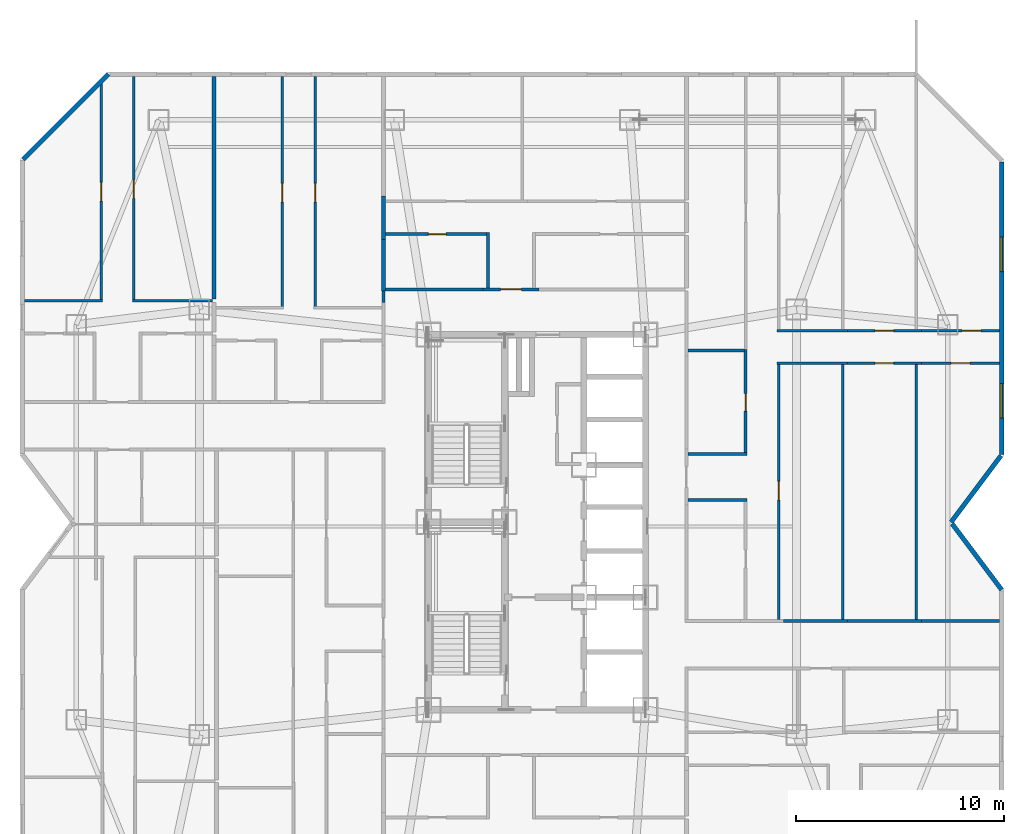
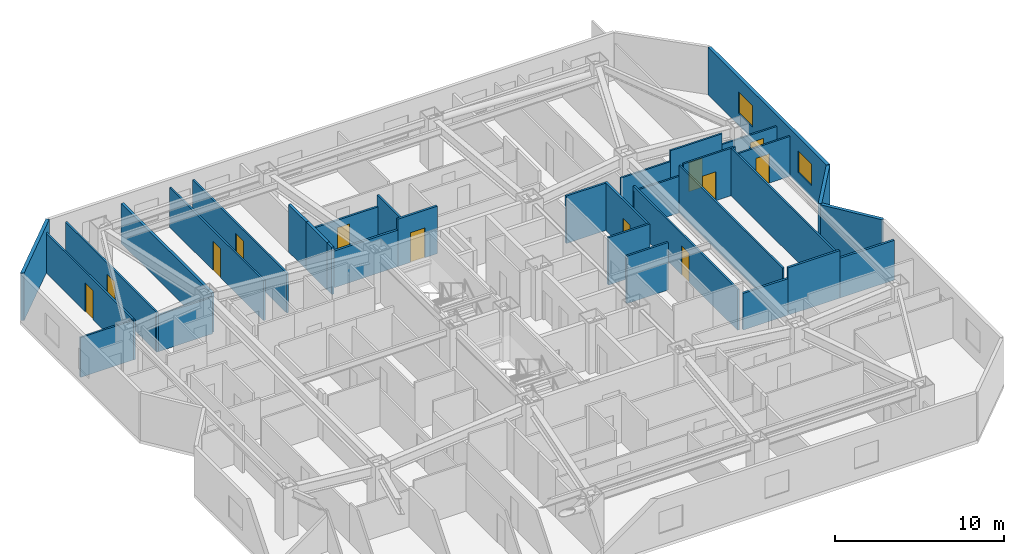
# One storey, part 9 of 11: 34 walls, 12 doors, 2 windows, 14 openings.
"""IFC4 building model written with IfcOpenShell, lengths in metres."""

from ifc_helpers import new_model, si_unit, direction, frame, frame_2d, origin, place, context, subcontext, project, spatial, rectangle, extrude, material, layer, layer_set, type_object, element, fill, save


model = new_model("IFC4")

# Units and contexts
model_context = context("Model", 3, precision=1e-05, world=origin(), true_north=direction((0.0, 1.0)))
body_context = subcontext(model_context, "Body", "Model", "MODEL_VIEW")
ifc_project = project(units=[si_unit("LENGTHUNIT", "METRE"), si_unit("AREAUNIT", "SQUARE_METRE"), si_unit("VOLUMEUNIT", "CUBIC_METRE"), si_unit("PLANEANGLEUNIT", "RADIAN"), si_unit("MASSUNIT", "GRAM", prefix="KILO")], contexts=[model_context])

# Site, building, storey
site_placement = place(None, origin())
site = spatial("IfcSite", under=ifc_project, at=site_placement, CompositionType="ELEMENT")
building_placement = place(site_placement, origin())
building = spatial("IfcBuilding", under=site, at=building_placement, Name="Khamvora Tower", CompositionType="ELEMENT")
storey_placement = place(building_placement, frame((0.0, 0.0, 116.5)))
storey = spatial("IfcBuildingStorey", under=building, at=storey_placement, Name="L29", CompositionType="ELEMENT", Elevation=116.5)

# Wall
ifc_material_1 = material(Name="Fire-Rated Drywall and Steel Stud", Category="steel")
ifc_layer_1 = layer(ifc_material_1, 0.14990234375)
ifc_layer_set_1 = layer_set([ifc_layer_1], Name="Fire-Rated Drywall and Steel Stud")
wall_type_1 = type_object("IfcWallType", Name="WAL-CORR-150", PredefinedType="STANDARD", material=ifc_layer_set_1)
wall_1_placement = place(storey_placement, frame((26.8349609375, 38.54296875, 0.0), z_axis=(0.0, 0.0, 1.0), x_axis=(0.0, 1.0, 0.0)))
element("IfcWall", 1, at=wall_1_placement, inside=storey, type_object=wall_type_1, Name="L29 interior partition wall 022", PredefinedType="STANDARD", context=body_context, shape_type="SweptSolid", body=[
    extrude(rectangle(XDim=0.55712890625, YDim=0.14990234375, at=frame_2d((0.278564453125, 0.0))), origin(), (0.0, 0.0, 1.0), 3.429931640625),
])

# Wall, opening, door
wall_2_placement = place(storey_placement, frame((31.60107421875, 39.1650390625, 0.0), z_axis=(0.0, 0.0, 1.0), x_axis=(1.0, 0.0, 0.0)))
wall_2 = element("IfcWall", 2, at=wall_2_placement, inside=storey, type_object=wall_type_1, Name="L29 interior partition wall 026", PredefinedType="STANDARD", context=body_context, shape_type="SweptSolid", body=[
    extrude(rectangle(XDim=2.697998046875, YDim=0.14990234375, at=frame_2d((1.34912109375, 0.0))), origin(), (0.0, 0.0, 1.0), 3.429931640625),
])
opening_1_placement = place(wall_2_placement, frame((0.84912109375, 0.0, 0.0)))
opening_1 = element("IfcOpeningElement", 3, at=opening_1_placement, cuts=wall_2, Name="Opening D-U1", PredefinedType="OPENING", context=body_context, shape_type="SweptSolid", body=[
    extrude(rectangle(XDim=1.0, YDim=2.14990234375, at=frame_2d((0.5, 1.074951171875))), frame((0.0, 0.0849609375, 0.0), z_axis=(0.0, -1.0, 0.0), x_axis=(1.0, 0.0, 0.0)), (0.0, 0.0, 1.0), 0.169921875),
])
ifc_material_2 = material(Name="Powder-Coated Steel and Hardwood Leaf", Category="steel")
door_type_1 = type_object("IfcDoorType", Name="DOR-UNIT-1000", OperationType="NOTDEFINED", PredefinedType="DOOR", material=ifc_material_2)
door_1_placement = place(opening_1_placement, origin())
door_1 = element("IfcDoor", 4, at=door_1_placement, inside=storey, type_object=door_type_1, Name="L29 interior door COR-29NAH", OperationType="SINGLE_SWING_LEFT", OverallHeight=2.14990234375, OverallWidth=1.0, PredefinedType="DOOR", context=body_context, shape_type="SweptSolid", body=[
    extrude(rectangle(XDim=1.0, YDim=2.14990234375, at=frame_2d((0.5, 1.074951171875))), frame((0.0, 0.02490234375, 0.0), z_axis=(0.0, -1.0, 0.0), x_axis=(1.0, 0.0, 0.0)), (0.0, 0.0, 1.0), 0.050048828125),
])
fill(opening_1, door_1)

# Walls
wall_3_placement = place(storey_placement, frame((26.89990234375, 39.1650390625, 0.0), z_axis=(0.0, 0.0, 1.0), x_axis=(1.0, 0.0, 0.0)))
element("IfcWall", 5, at=wall_3_placement, inside=storey, type_object=wall_type_1, Name="L29 interior partition wall 027", PredefinedType="STANDARD", context=body_context, shape_type="SweptSolid", body=[
    extrude(rectangle(XDim=4.701171875, YDim=0.14990234375, at=frame_2d((2.3505859375, 0.0))), origin(), (0.0, 0.0, 1.0), 2.64697265625),
])
wall_4_placement = place(storey_placement, frame((46.034912109375, 23.264892578125, 0.0), z_axis=(0.0, 0.0, 1.0), x_axis=(1.0, 0.0, 0.0)))
element("IfcWall", 6, at=wall_4_placement, inside=storey, type_object=wall_type_1, Name="L29 interior partition wall 040", PredefinedType="STANDARD", context=body_context, shape_type="SweptSolid", body=[
    extrude(rectangle(XDim=3.070068359375, YDim=0.14990234375, at=frame_2d((1.53515625, 0.0))), origin(), (0.0, 0.0, 1.0), 2.64697265625),
])
wall_5_placement = place(storey_placement, frame((49.10498046875, 23.264892578125, 0.0), z_axis=(0.0, 0.0, 1.0), x_axis=(1.0, 0.0, 0.0)))
element("IfcWall", 7, at=wall_5_placement, inside=storey, type_object=wall_type_1, Name="L29 interior partition wall 041", PredefinedType="STANDARD", context=body_context, shape_type="SweptSolid", body=[
    extrude(rectangle(XDim=3.5458984375, YDim=0.14990234375, at=frame_2d((1.77294921875, 0.0))), origin(), (0.0, 0.0, 1.0), 3.429931640625),
])
wall_6_placement = place(storey_placement, frame((52.65087890625, 23.264892578125, 0.0), z_axis=(0.0, 0.0, 1.0), x_axis=(1.0, 0.0, 0.0)))
element("IfcWall", 8, at=wall_6_placement, inside=storey, type_object=wall_type_1, Name="L29 interior partition wall 042", PredefinedType="STANDARD", context=body_context, shape_type="SweptSolid", body=[
    extrude(rectangle(XDim=3.737060546875, YDim=0.14990234375, at=frame_2d((1.86865234375, 0.0))), origin(), (0.0, 0.0, 1.0), 2.8759765625),
])
ifc_material_3 = material(Name="Acoustic Double-Stud Fire Wall", Category="gypsum")
ifc_layer_2 = layer(ifc_material_3, 0.179931640625)
ifc_layer_set_2 = layer_set([ifc_layer_2], Name="Acoustic Double-Stud Fire Wall")
wall_type_2 = type_object("IfcWallType", Name="WAL-CORR-180", PredefinedType="STANDARD", material=ifc_layer_set_2)
wall_7_placement = place(storey_placement, frame((18.705078125, 49.387939453125, 0.0), z_axis=(0.0, 0.0, 1.0), x_axis=(0.0, -1.0, 0.0)))
element("IfcWall", 9, at=wall_7_placement, inside=storey, type_object=wall_type_2, Name="L29 interior partition wall 085", PredefinedType="STANDARD", context=body_context, shape_type="SweptSolid", body=[
    extrude(rectangle(XDim=10.68896484375, YDim=0.179931640625, at=frame_2d((5.344482421875, 0.0))), origin(), (0.0, 0.0, 1.0), 2.8759765625),
])
wall_8_placement = place(storey_placement, frame((26.8349609375, 43.65087890625, 0.0), z_axis=(0.0, 0.0, 1.0), x_axis=(0.0, -1.0, 0.0)))
element("IfcWall", 10, at=wall_8_placement, inside=storey, type_object=wall_type_2, Name="L29 interior partition wall 094", PredefinedType="STANDARD", context=body_context, shape_type="SweptSolid", body=[
    extrude(rectangle(XDim=2.077880859375, YDim=0.179931640625, at=frame_2d((1.0390625, 0.0))), origin(), (0.0, 0.0, 1.0), 3.429931640625),
])
wall_9_placement = place(storey_placement, frame((26.8349609375, 41.572998046875, 0.0), z_axis=(0.0, 0.0, 1.0), x_axis=(0.0, -1.0, 0.0)))
element("IfcWall", 11, at=wall_9_placement, inside=storey, type_object=wall_type_2, Name="L29 interior partition wall 095", PredefinedType="STANDARD", context=body_context, shape_type="SweptSolid", body=[
    extrude(rectangle(XDim=2.472900390625, YDim=0.179931640625, at=frame_2d((1.236328125, 0.0))), origin(), (0.0, 0.0, 1.0), 3.429931640625),
])
ifc_material_4 = material(Name="Precast concrete C40/50", Category="concrete")
ifc_layer_3 = layer(ifc_material_4, 0.219970703125)
ifc_layer_set_3 = layer_set([ifc_layer_3], Name="Precast concrete C40/50")
wall_type_3 = type_object("IfcWallType", Name="WAL-EXT-220", PredefinedType="STANDARD", material=ifc_layer_set_3)
wall_10_placement = place(storey_placement, frame((9.55810546875, 45.402099609375, 0.0), z_axis=(0.0, 0.0, 1.0), x_axis=(0.707106781187, 0.707106781187, 0.0)))
element("IfcWall", 12, at=wall_10_placement, inside=storey, type_object=wall_type_3, Name="L29 exterior facade wall 06.1", PredefinedType="STANDARD", context=body_context, shape_type="SweptSolid", body=[
    extrude(rectangle(XDim=5.78125, YDim=0.219970703125, at=frame_2d((2.890625, 0.0))), origin(), (0.0, 0.0, 1.0), 3.429931640625),
])

# Wall, openings, windows
wall_11_placement = place(storey_placement, frame((56.489990234375, 45.282958984375, 0.0), z_axis=(0.0, 0.0, 1.0), x_axis=(0.0, -1.0, 0.0)))
wall_11 = element("IfcWall", 13, at=wall_11_placement, inside=storey, type_object=wall_type_3, Name="L29 exterior facade wall 09.1", PredefinedType="STANDARD", context=body_context, shape_type="SweptSolid", body=[
    extrude(rectangle(XDim=14.0458984375, YDim=0.219970703125, at=frame_2d((7.02294921875, 0.0))), origin(), (0.0, 0.0, 1.0), 3.429931640625),
])
opening_2_placement = place(wall_11_placement, frame((10.635009765625, 0.0, 0.85009765625)))
opening_2 = element("IfcOpeningElement", 14, at=opening_2_placement, cuts=wall_11, Name="Opening WN-06", PredefinedType="OPENING", context=body_context, shape_type="SweptSolid", body=[
    extrude(rectangle(XDim=1.64990234375, YDim=1.550048828125, at=frame_2d((0.824951171875, 0.77490234375))), frame((0.0, 0.119873046875, 0.0), z_axis=(0.0, -1.0, 0.0), x_axis=(1.0, 0.0, 0.0)), (0.0, 0.0, 1.0), 0.239990234375),
])
opening_3_placement = place(wall_11_placement, frame((3.611083984375, 0.0, 0.85009765625)))
opening_3 = element("IfcOpeningElement", 15, at=opening_3_placement, cuts=wall_11, Name="Opening WN-06", PredefinedType="OPENING", context=body_context, shape_type="SweptSolid", body=[
    extrude(rectangle(XDim=1.64990234375, YDim=1.550048828125, at=frame_2d((0.824951171875, 0.77490234375))), frame((0.0, 0.119873046875, 0.0), z_axis=(0.0, -1.0, 0.0), x_axis=(1.0, 0.0, 0.0)), (0.0, 0.0, 1.0), 0.239990234375),
])
ifc_material_5 = material(Name="Low-E Laminated Double Glazing", Category="glass")
window_type = type_object("IfcWindowType", Name="WIN-VIS-1650x1550", PartitioningType="SINGLE_PANEL", PredefinedType="WINDOW", material=ifc_material_5)
window_1_placement = place(opening_2_placement, origin())
window_1 = element("IfcWindow", 16, at=window_1_placement, inside=storey, type_object=window_type, Name="L29 vision window 09.1.01", OverallHeight=1.550048828125, OverallWidth=1.64990234375, PartitioningType="SINGLE_PANEL", PredefinedType="WINDOW", context=body_context, shape_type="SweptSolid", body=[
    extrude(rectangle(XDim=1.64990234375, YDim=1.550048828125, at=frame_2d((0.824951171875, 0.77490234375))), frame((0.0, 0.030029296875, 0.0), z_axis=(0.0, -1.0, 0.0), x_axis=(1.0, 0.0, 0.0)), (0.0, 0.0, 1.0), 0.06005859375),
])
fill(opening_2, window_1)
window_2_placement = place(opening_3_placement, origin())
window_2 = element("IfcWindow", 17, at=window_2_placement, inside=storey, type_object=window_type, Name="L29 vision window 09.1.02", OverallHeight=1.550048828125, OverallWidth=1.64990234375, PartitioningType="SINGLE_PANEL", PredefinedType="WINDOW", context=body_context, shape_type="SweptSolid", body=[
    extrude(rectangle(XDim=1.64990234375, YDim=1.550048828125, at=frame_2d((0.824951171875, 0.77490234375))), frame((0.0, 0.030029296875, 0.0), z_axis=(0.0, -1.0, 0.0), x_axis=(1.0, 0.0, 0.0)), (0.0, 0.0, 1.0), 0.06005859375),
])
fill(opening_3, window_2)

# Walls
wall_12_placement = place(storey_placement, frame((56.4560546875, 31.19091796875, 0.0), z_axis=(0.0, 0.0, 1.0), x_axis=(-0.600137081448, -0.799897170561, 0.0)))
element("IfcWall", 18, at=wall_12_placement, inside=storey, type_object=wall_type_3, Name="L29 exterior facade wall 10.1", PredefinedType="STANDARD", context=body_context, shape_type="SweptSolid", body=[
    extrude(rectangle(XDim=3.9892578125, YDim=0.219970703125, at=frame_2d((1.99462890625, 0.0))), origin(), (0.0, 0.0, 1.0), 3.429931640625),
])
wall_13_placement = place(storey_placement, frame((54.118896484375, 27.924072265625, 0.0), z_axis=(0.0, 0.0, 1.0), x_axis=(0.600039540588, -0.799970343032, 0.0)))
element("IfcWall", 19, at=wall_13_placement, inside=storey, type_object=wall_type_3, Name="L29 exterior facade wall 11.1", PredefinedType="STANDARD", context=body_context, shape_type="SweptSolid", body=[
    extrude(rectangle(XDim=3.95166015625, YDim=0.219970703125, at=frame_2d((1.975830078125, 0.0))), origin(), (0.0, 0.0, 1.0), 3.429931640625),
])
ifc_material_6 = material(Name="Gypsum Plasterboard Partition", Category="gypsum")
ifc_layer_4 = layer(ifc_material_6, 0.1201171875)
ifc_layer_set_4 = layer_set([ifc_layer_4], Name="Gypsum Plasterboard Partition")
wall_type_4 = type_object("IfcWallType", Name="WAL-PART-120", PredefinedType="PARTITIONING", material=ifc_layer_set_4)
wall_14_placement = place(storey_placement, frame((9.612060546875, 38.634033203125, 0.0), z_axis=(0.0, 0.0, 1.0), x_axis=(1.0, 0.0, 0.0)))
element("IfcWall", 20, at=wall_14_placement, inside=storey, type_object=wall_type_4, Name="L29 interior partition wall 078", PredefinedType="PARTITIONING", context=body_context, shape_type="SweptSolid", body=[
    extrude(rectangle(XDim=3.742919921875, YDim=0.1201171875, at=frame_2d((1.87158203125, 0.0))), origin(), (0.0, 0.0, 1.0), 2.8759765625),
])

# Wall, opening, door
wall_15_placement = place(storey_placement, frame((13.2900390625, 38.569091796875, 0.0), z_axis=(0.0, 0.0, 1.0), x_axis=(0.0, 1.0, 0.0)))
wall_15 = element("IfcWall", 21, at=wall_15_placement, inside=storey, type_object=wall_type_4, Name="L29 interior partition wall 079", PredefinedType="PARTITIONING", context=body_context, shape_type="SweptSolid", body=[
    extrude(rectangle(XDim=10.573974609375, YDim=0.1201171875, at=frame_2d((5.287109375, 0.0))), origin(), (0.0, 0.0, 1.0), 2.8759765625),
])
opening_4_placement = place(wall_15_placement, frame((4.8369140625, 0.0, 0.0)))
opening_4 = element("IfcOpeningElement", 22, at=opening_4_placement, cuts=wall_15, Name="Opening D-RM1", PredefinedType="OPENING", context=body_context, shape_type="SweptSolid", body=[
    extrude(rectangle(XDim=0.89990234375, YDim=2.10009765625, at=frame_2d((0.449951171875, 1.050048828125))), frame((0.0, 0.070068359375, 0.0), z_axis=(0.0, -1.0, 0.0), x_axis=(1.0, 0.0, 0.0)), (0.0, 0.0, 1.0), 0.14013671875),
])
door_type_2 = type_object("IfcDoorType", Name="DOR-ROOM-900", OperationType="NOTDEFINED", PredefinedType="DOOR", material=ifc_material_2)
door_2_placement = place(opening_4_placement, origin())
door_2 = element("IfcDoor", 23, at=door_2_placement, inside=storey, type_object=door_type_2, Name="L29 interior door 29WBH-29WBL", OperationType="SINGLE_SWING_RIGHT", OverallHeight=2.10009765625, OverallWidth=0.89990234375, PredefinedType="DOOR", context=body_context, shape_type="SweptSolid", body=[
    extrude(rectangle(XDim=0.89990234375, YDim=2.10009765625, at=frame_2d((0.449951171875, 1.050048828125))), frame((0.0, 0.02490234375, 0.0), z_axis=(0.0, -1.0, 0.0), x_axis=(1.0, 0.0, 0.0)), (0.0, 0.0, 1.0), 0.050048828125),
])
fill(opening_4, door_2)

wall_16_placement = place(storey_placement, frame((14.860107421875, 49.387939453125, 0.0), z_axis=(0.0, 0.0, 1.0), x_axis=(0.0, -1.0, 0.0)))
wall_16 = element("IfcWall", 24, at=wall_16_placement, inside=storey, type_object=wall_type_4, Name="L29 interior partition wall 080", PredefinedType="PARTITIONING", context=body_context, shape_type="SweptSolid", body=[
    extrude(rectangle(XDim=10.81884765625, YDim=0.1201171875, at=frame_2d((5.409423828125, 0.0))), origin(), (0.0, 0.0, 1.0), 2.8759765625),
])
opening_5_placement = place(wall_16_placement, frame((4.9599609375, 0.0, 0.0)))
opening_5 = element("IfcOpeningElement", 25, at=opening_5_placement, cuts=wall_16, Name="Opening D-RM1", PredefinedType="OPENING", context=body_context, shape_type="SweptSolid", body=[
    extrude(rectangle(XDim=0.89990234375, YDim=2.10009765625, at=frame_2d((0.449951171875, 1.050048828125))), frame((0.0, 0.070068359375, 0.0), z_axis=(0.0, -1.0, 0.0), x_axis=(1.0, 0.0, 0.0)), (0.0, 0.0, 1.0), 0.14013671875),
])
door_3_placement = place(opening_5_placement, origin())
door_3 = element("IfcDoor", 26, at=door_3_placement, inside=storey, type_object=door_type_2, Name="L29 interior door 29WBH-29WBR2", OperationType="SINGLE_SWING_LEFT", OverallHeight=2.10009765625, OverallWidth=0.89990234375, PredefinedType="DOOR", context=body_context, shape_type="SweptSolid", body=[
    extrude(rectangle(XDim=0.89990234375, YDim=2.10009765625, at=frame_2d((0.449951171875, 1.050048828125))), frame((0.0, 0.02490234375, 0.0), z_axis=(0.0, -1.0, 0.0), x_axis=(1.0, 0.0, 0.0)), (0.0, 0.0, 1.0), 0.050048828125),
])
fill(opening_5, door_3)

# Wall
wall_17_placement = place(storey_placement, frame((14.794921875, 38.634033203125, 0.0), z_axis=(0.0, 0.0, 1.0), x_axis=(1.0, 0.0, 0.0)))
element("IfcWall", 27, at=wall_17_placement, inside=storey, type_object=wall_type_4, Name="L29 interior partition wall 081", PredefinedType="PARTITIONING", context=body_context, shape_type="SweptSolid", body=[
    extrude(rectangle(XDim=3.844970703125, YDim=0.1201171875, at=frame_2d((1.92236328125, 0.0))), origin(), (0.0, 0.0, 1.0), 2.64697265625),
])

# Wall, opening, door
wall_18_placement = place(storey_placement, frame((21.985107421875, 38.22900390625, 0.0), z_axis=(0.0, 0.0, 1.0), x_axis=(0.0, 1.0, 0.0)))
wall_18 = element("IfcWall", 28, at=wall_18_placement, inside=storey, type_object=wall_type_4, Name="L29 interior partition wall 091", PredefinedType="PARTITIONING", context=body_context, shape_type="SweptSolid", body=[
    extrude(rectangle(XDim=11.158935546875, YDim=0.1201171875, at=frame_2d((5.57958984375, 0.0))), origin(), (0.0, 0.0, 1.0), 2.8759765625),
])
opening_6_placement = place(wall_18_placement, frame((5.1298828125, 0.0, 0.0)))
opening_6 = element("IfcOpeningElement", 29, at=opening_6_placement, cuts=wall_18, Name="Opening D-RM1", PredefinedType="OPENING", context=body_context, shape_type="SweptSolid", body=[
    extrude(rectangle(XDim=0.89990234375, YDim=2.10009765625, at=frame_2d((0.449951171875, 1.050048828125))), frame((0.0, 0.070068359375, 0.0), z_axis=(0.0, -1.0, 0.0), x_axis=(1.0, 0.0, 0.0)), (0.0, 0.0, 1.0), 0.14013671875),
])
door_4_placement = place(opening_6_placement, origin())
door_4 = element("IfcDoor", 30, at=door_4_placement, inside=storey, type_object=door_type_2, Name="L29 interior door 29WCH-29WCR1", OperationType="SINGLE_SWING_RIGHT", OverallHeight=2.10009765625, OverallWidth=0.89990234375, PredefinedType="DOOR", context=body_context, shape_type="SweptSolid", body=[
    extrude(rectangle(XDim=0.89990234375, YDim=2.10009765625, at=frame_2d((0.449951171875, 1.050048828125))), frame((0.0, 0.02490234375, 0.0), z_axis=(0.0, -1.0, 0.0), x_axis=(1.0, 0.0, 0.0)), (0.0, 0.0, 1.0), 0.050048828125),
])
fill(opening_6, door_4)

wall_19_placement = place(storey_placement, frame((23.554931640625, 49.387939453125, 0.0), z_axis=(0.0, 0.0, 1.0), x_axis=(0.0, -1.0, 0.0)))
wall_19 = element("IfcWall", 31, at=wall_19_placement, inside=storey, type_object=wall_type_4, Name="L29 interior partition wall 092", PredefinedType="PARTITIONING", context=body_context, shape_type="SweptSolid", body=[
    extrude(rectangle(XDim=11.158935546875, YDim=0.1201171875, at=frame_2d((5.57958984375, 0.0))), origin(), (0.0, 0.0, 1.0), 2.8759765625),
])
opening_7_placement = place(wall_19_placement, frame((5.1298828125, 0.0, 0.0)))
opening_7 = element("IfcOpeningElement", 32, at=opening_7_placement, cuts=wall_19, Name="Opening D-RM1", PredefinedType="OPENING", context=body_context, shape_type="SweptSolid", body=[
    extrude(rectangle(XDim=0.89990234375, YDim=2.10009765625, at=frame_2d((0.449951171875, 1.050048828125))), frame((0.0, 0.070068359375, 0.0), z_axis=(0.0, -1.0, 0.0), x_axis=(1.0, 0.0, 0.0)), (0.0, 0.0, 1.0), 0.14013671875),
])
door_5_placement = place(opening_7_placement, origin())
door_5 = element("IfcDoor", 33, at=door_5_placement, inside=storey, type_object=door_type_2, Name="L29 interior door 29WCH-29WCR2", OperationType="SINGLE_SWING_LEFT", OverallHeight=2.10009765625, OverallWidth=0.89990234375, PredefinedType="DOOR", context=body_context, shape_type="SweptSolid", body=[
    extrude(rectangle(XDim=0.89990234375, YDim=2.10009765625, at=frame_2d((0.449951171875, 1.050048828125))), frame((0.0, 0.02490234375, 0.0), z_axis=(0.0, -1.0, 0.0), x_axis=(1.0, 0.0, 0.0)), (0.0, 0.0, 1.0), 0.050048828125),
])
fill(opening_7, door_5)

wall_20_placement = place(storey_placement, frame((45.785888671875, 35.68994140625, 0.0), z_axis=(0.0, 0.0, 1.0), x_axis=(0.0, -1.0, 0.0)))
wall_20 = element("IfcWall", 34, at=wall_20_placement, inside=storey, type_object=wall_type_4, Name="L29 interior partition wall 135", PredefinedType="PARTITIONING", context=body_context, shape_type="SweptSolid", body=[
    extrude(rectangle(XDim=12.35791015625, YDim=0.1201171875, at=frame_2d((6.178955078125, 0.0))), origin(), (0.0, 0.0, 1.0), 2.9609375),
])
opening_8_placement = place(wall_20_placement, frame((5.72900390625, 0.0, 0.0)))
opening_8 = element("IfcOpeningElement", 35, at=opening_8_placement, cuts=wall_20, Name="Opening D-RM1", PredefinedType="OPENING", context=body_context, shape_type="SweptSolid", body=[
    extrude(rectangle(XDim=0.89990234375, YDim=2.10009765625, at=frame_2d((0.449951171875, 1.050048828125))), frame((0.0, 0.070068359375, 0.0), z_axis=(0.0, -1.0, 0.0), x_axis=(1.0, 0.0, 0.0)), (0.0, 0.0, 1.0), 0.14013671875),
])
door_6_placement = place(opening_8_placement, origin())
door_6 = element("IfcDoor", 36, at=door_6_placement, inside=storey, type_object=door_type_2, Name="L29 interior door 29EBH-29EBR1", OperationType="SINGLE_SWING_RIGHT", OverallHeight=2.10009765625, OverallWidth=0.89990234375, PredefinedType="DOOR", context=body_context, shape_type="SweptSolid", body=[
    extrude(rectangle(XDim=0.89990234375, YDim=2.10009765625, at=frame_2d((0.449951171875, 1.050048828125))), frame((0.0, 0.02490234375, 0.0), z_axis=(0.0, -1.0, 0.0), x_axis=(1.0, 0.0, 0.0)), (0.0, 0.0, 1.0), 0.050048828125),
])
fill(opening_8, door_6)

# Wall
wall_21_placement = place(storey_placement, frame((49.10498046875, 35.625, 0.0), z_axis=(0.0, 0.0, 1.0), x_axis=(-1.0, 0.0, 0.0)))
element("IfcWall", 37, at=wall_21_placement, inside=storey, type_object=wall_type_4, Name="L29 interior partition wall 136", PredefinedType="PARTITIONING", context=body_context, shape_type="SweptSolid", body=[
    extrude(rectangle(XDim=3.384033203125, YDim=0.1201171875, at=frame_2d((1.69189453125, 0.0))), origin(), (0.0, 0.0, 1.0), 2.64697265625),
])

# Wall, opening, door
wall_22_placement = place(storey_placement, frame((52.65087890625, 35.625, 0.0), z_axis=(0.0, 0.0, 1.0), x_axis=(-1.0, 0.0, 0.0)))
wall_22 = element("IfcWall", 38, at=wall_22_placement, inside=storey, type_object=wall_type_4, Name="L29 interior partition wall 137", PredefinedType="PARTITIONING", context=body_context, shape_type="SweptSolid", body=[
    extrude(rectangle(XDim=3.5458984375, YDim=0.1201171875, at=frame_2d((1.77294921875, 0.0))), origin(), (0.0, 0.0, 1.0), 3.429931640625),
])
opening_9_placement = place(wall_22_placement, frame((1.343994140625, 0.0, 0.0)))
opening_9 = element("IfcOpeningElement", 39, at=opening_9_placement, cuts=wall_22, Name="Opening D-RM1", PredefinedType="OPENING", context=body_context, shape_type="SweptSolid", body=[
    extrude(rectangle(XDim=0.89990234375, YDim=2.10009765625, at=frame_2d((0.449951171875, 1.050048828125))), frame((0.0, 0.070068359375, 0.0), z_axis=(0.0, -1.0, 0.0), x_axis=(1.0, 0.0, 0.0)), (0.0, 0.0, 1.0), 0.14013671875),
])
door_7_placement = place(opening_9_placement, origin())
door_7 = element("IfcDoor", 40, at=door_7_placement, inside=storey, type_object=door_type_2, Name="L29 interior door 29EBH-29EBR2", OperationType="SINGLE_SWING_LEFT", OverallHeight=2.10009765625, OverallWidth=0.89990234375, PredefinedType="DOOR", context=body_context, shape_type="SweptSolid", body=[
    extrude(rectangle(XDim=0.89990234375, YDim=2.10009765625, at=frame_2d((0.449951171875, 1.050048828125))), frame((0.0, 0.02490234375, 0.0), z_axis=(0.0, -1.0, 0.0), x_axis=(1.0, 0.0, 0.0)), (0.0, 0.0, 1.0), 0.050048828125),
])
fill(opening_9, door_7)

wall_23_placement = place(storey_placement, frame((56.387939453125, 35.625, 0.0), z_axis=(0.0, 0.0, 1.0), x_axis=(-1.0, 0.0, 0.0)))
wall_23 = element("IfcWall", 41, at=wall_23_placement, inside=storey, type_object=wall_type_4, Name="L29 interior partition wall 138", PredefinedType="PARTITIONING", context=body_context, shape_type="SweptSolid", body=[
    extrude(rectangle(XDim=3.737060546875, YDim=0.1201171875, at=frame_2d((1.86865234375, 0.0))), origin(), (0.0, 0.0, 1.0), 2.8759765625),
])
opening_10_placement = place(wall_23_placement, frame((1.4189453125, 0.0, 0.0)))
opening_10 = element("IfcOpeningElement", 42, at=opening_10_placement, cuts=wall_23, Name="Opening D-RM1", PredefinedType="OPENING", context=body_context, shape_type="SweptSolid", body=[
    extrude(rectangle(XDim=0.89990234375, YDim=2.10009765625, at=frame_2d((0.449951171875, 1.050048828125))), frame((0.0, 0.070068359375, 0.0), z_axis=(0.0, -1.0, 0.0), x_axis=(1.0, 0.0, 0.0)), (0.0, 0.0, 1.0), 0.14013671875),
])
door_8_placement = place(opening_10_placement, origin())
door_8 = element("IfcDoor", 43, at=door_8_placement, inside=storey, type_object=door_type_2, Name="L29 interior door 29EBH-29EBR3", OperationType="SINGLE_SWING_RIGHT", OverallHeight=2.10009765625, OverallWidth=0.89990234375, PredefinedType="DOOR", context=body_context, shape_type="SweptSolid", body=[
    extrude(rectangle(XDim=0.89990234375, YDim=2.10009765625, at=frame_2d((0.449951171875, 1.050048828125))), frame((0.0, 0.02490234375, 0.0), z_axis=(0.0, -1.0, 0.0), x_axis=(1.0, 0.0, 0.0)), (0.0, 0.0, 1.0), 0.050048828125),
])
fill(opening_10, door_8)

# Wall
wall_24_placement = place(storey_placement, frame((45.720947265625, 37.195068359375, 0.0), z_axis=(0.0, 0.0, 1.0), x_axis=(1.0, 0.0, 0.0)))
element("IfcWall", 44, at=wall_24_placement, inside=storey, type_object=wall_type_4, Name="L29 interior partition wall 140", PredefinedType="PARTITIONING", context=body_context, shape_type="SweptSolid", body=[
    extrude(rectangle(XDim=3.384033203125, YDim=0.1201171875, at=frame_2d((1.69189453125, 0.0))), origin(), (0.0, 0.0, 1.0), 2.64697265625),
])

# Wall, opening, door
wall_25_placement = place(storey_placement, frame((49.10498046875, 37.195068359375, 0.0), z_axis=(0.0, 0.0, 1.0), x_axis=(1.0, 0.0, 0.0)))
wall_25 = element("IfcWall", 45, at=wall_25_placement, inside=storey, type_object=wall_type_4, Name="L29 interior partition wall 141", PredefinedType="PARTITIONING", context=body_context, shape_type="SweptSolid", body=[
    extrude(rectangle(XDim=3.5458984375, YDim=0.1201171875, at=frame_2d((1.77294921875, 0.0))), origin(), (0.0, 0.0, 1.0), 3.429931640625),
])
opening_11_placement = place(wall_25_placement, frame((1.302001953125, 0.0, 0.0)))
opening_11 = element("IfcOpeningElement", 46, at=opening_11_placement, cuts=wall_25, Name="Opening D-RM1", PredefinedType="OPENING", context=body_context, shape_type="SweptSolid", body=[
    extrude(rectangle(XDim=0.89990234375, YDim=2.10009765625, at=frame_2d((0.449951171875, 1.050048828125))), frame((0.0, 0.070068359375, 0.0), z_axis=(0.0, -1.0, 0.0), x_axis=(1.0, 0.0, 0.0)), (0.0, 0.0, 1.0), 0.14013671875),
])
door_9_placement = place(opening_11_placement, origin())
door_9 = element("IfcDoor", 47, at=door_9_placement, inside=storey, type_object=door_type_2, Name="L29 interior door 29EBH-29EBR5", OperationType="SINGLE_SWING_RIGHT", OverallHeight=2.10009765625, OverallWidth=0.89990234375, PredefinedType="DOOR", context=body_context, shape_type="SweptSolid", body=[
    extrude(rectangle(XDim=0.89990234375, YDim=2.10009765625, at=frame_2d((0.449951171875, 1.050048828125))), frame((0.0, 0.02490234375, 0.0), z_axis=(0.0, -1.0, 0.0), x_axis=(1.0, 0.0, 0.0)), (0.0, 0.0, 1.0), 0.050048828125),
])
fill(opening_11, door_9)

wall_26_placement = place(storey_placement, frame((52.65087890625, 37.195068359375, 0.0), z_axis=(0.0, 0.0, 1.0), x_axis=(1.0, 0.0, 0.0)))
wall_26 = element("IfcWall", 48, at=wall_26_placement, inside=storey, type_object=wall_type_4, Name="L29 interior partition wall 142", PredefinedType="PARTITIONING", context=body_context, shape_type="SweptSolid", body=[
    extrude(rectangle(XDim=3.737060546875, YDim=0.1201171875, at=frame_2d((1.86865234375, 0.0))), origin(), (0.0, 0.0, 1.0), 2.64697265625),
])
opening_12_placement = place(wall_26_placement, frame((1.93896484375, 0.0, 0.0)))
opening_12 = element("IfcOpeningElement", 49, at=opening_12_placement, cuts=wall_26, Name="Opening D-RM1", PredefinedType="OPENING", context=body_context, shape_type="SweptSolid", body=[
    extrude(rectangle(XDim=0.89990234375, YDim=2.10009765625, at=frame_2d((0.449951171875, 1.050048828125))), frame((0.0, 0.070068359375, 0.0), z_axis=(0.0, -1.0, 0.0), x_axis=(1.0, 0.0, 0.0)), (0.0, 0.0, 1.0), 0.14013671875),
])
door_10_placement = place(opening_12_placement, origin())
door_10 = element("IfcDoor", 50, at=door_10_placement, inside=storey, type_object=door_type_2, Name="L29 interior door 29EBH-29EBR6", OperationType="SINGLE_SWING_RIGHT", OverallHeight=2.10009765625, OverallWidth=0.89990234375, PredefinedType="DOOR", context=body_context, shape_type="SweptSolid", body=[
    extrude(rectangle(XDim=0.89990234375, YDim=2.10009765625, at=frame_2d((0.449951171875, 1.050048828125))), frame((0.0, 0.02490234375, 0.0), z_axis=(0.0, -1.0, 0.0), x_axis=(1.0, 0.0, 0.0)), (0.0, 0.0, 1.0), 0.050048828125),
])
fill(opening_12, door_10)

# Walls
for number, where, z_axis, x_axis, name in (
    (51, (48.85498046875, 35.571044921875, 0.0), (0.0, 0.0, 1.0), (0.0, -1.0, 0.0), "L29 interior partition wall 143"),
    (52, (52.402099609375, 35.571044921875, 0.0), (0.0, 0.0, 1.0), (0.0, -1.0, 0.0), "L29 interior partition wall 144"),
):
    element("IfcWall", number, at=place(storey_placement, frame(where, z_axis=z_axis, x_axis=x_axis)), inside=storey, type_object=wall_type_4, Name=name, PredefinedType="PARTITIONING", context=body_context, shape_type="SweptSolid", body=[
        extrude(rectangle(XDim=12.239013671875, YDim=0.1201171875, at=frame_2d((6.11962890625, 0.0))), origin(), (0.0, 0.0, 1.0), 3.429931640625),
    ])
ifc_material_7 = material(Name="Moisture-Resistant Plasterboard Partition", Category="gypsum")
ifc_layer_5 = layer(ifc_material_7, 0.135009765625)
ifc_layer_set_5 = layer_set([ifc_layer_5], Name="Moisture-Resistant Plasterboard Partition")
wall_type_5 = type_object("IfcWallType", Name="WAL-WET-135", PredefinedType="PARTITIONING", material=ifc_layer_set_5)
wall_27_placement = place(storey_placement, frame((31.85009765625, 39.23193359375, 0.0), z_axis=(0.0, 0.0, 1.0), x_axis=(0.0, 1.0, 0.0)))
element("IfcWall", 53, at=wall_27_placement, inside=storey, type_object=wall_type_5, Name="L29 interior partition wall 109", PredefinedType="PARTITIONING", context=body_context, shape_type="SweptSolid", body=[
    extrude(rectangle(XDim=2.655029296875, YDim=0.135009765625, at=frame_2d((1.32763671875, 0.0))), origin(), (0.0, 0.0, 1.0), 3.429931640625),
])

# Wall, opening, door
wall_28_placement = place(storey_placement, frame((31.9150390625, 41.822021484375, 0.0), z_axis=(0.0, 0.0, 1.0), x_axis=(-1.0, 0.0, 0.0)))
wall_28 = element("IfcWall", 54, at=wall_28_placement, inside=storey, type_object=wall_type_5, Name="L29 interior partition wall 110", PredefinedType="PARTITIONING", context=body_context, shape_type="SweptSolid", body=[
    extrude(rectangle(XDim=4.998046875, YDim=0.135009765625, at=frame_2d((2.4990234375, 0.0))), origin(), (0.0, 0.0, 1.0), 2.64697265625),
])
opening_13_placement = place(wall_28_placement, frame((2.073974609375, 0.0, 0.0)))
opening_13 = element("IfcOpeningElement", 55, at=opening_13_placement, cuts=wall_28, Name="Opening D-WC1", PredefinedType="OPENING", context=body_context, shape_type="SweptSolid", body=[
    extrude(rectangle(XDim=0.85009765625, YDim=2.10009765625, at=frame_2d((0.425048828125, 1.050048828125))), frame((0.0, 0.077392578125, 0.0), z_axis=(0.0, -1.0, 0.0), x_axis=(1.0, 0.0, 0.0)), (0.0, 0.0, 1.0), 0.155029296875),
])
door_type_3 = type_object("IfcDoorType", Name="DOR-WET-850", OperationType="NOTDEFINED", PredefinedType="DOOR", material=ifc_material_2)
door_11_placement = place(opening_13_placement, origin())
door_11 = element("IfcDoor", 56, at=door_11_placement, inside=storey, type_object=door_type_3, Name="L29 interior door 29NAH-29NAB", OperationType="SINGLE_SWING_RIGHT", OverallHeight=2.10009765625, OverallWidth=0.85009765625, PredefinedType="DOOR", context=body_context, shape_type="SweptSolid", body=[
    extrude(rectangle(XDim=0.85009765625, YDim=2.10009765625, at=frame_2d((0.425048828125, 1.050048828125))), frame((0.0, 0.02490234375, 0.0), z_axis=(0.0, -1.0, 0.0), x_axis=(1.0, 0.0, 0.0)), (0.0, 0.0, 1.0), 0.050048828125),
])
fill(opening_13, door_11)

# Walls
wall_29_placement = place(storey_placement, frame((44.14111328125, 36.23095703125, 0.0), z_axis=(0.0, 0.0, 1.0), x_axis=(-1.0, 0.0, 0.0)))
element("IfcWall", 57, at=wall_29_placement, inside=storey, type_object=wall_type_5, Name="L29 interior partition wall 130", PredefinedType="PARTITIONING", context=body_context, shape_type="SweptSolid", body=[
    extrude(rectangle(XDim=2.709228515625, YDim=0.135009765625, at=frame_2d((1.3544921875, 0.0))), origin(), (0.0, 0.0, 1.0), 3.429931640625),
])
wall_30_placement = place(storey_placement, frame((41.431884765625, 31.26611328125, 0.0), z_axis=(0.0, 0.0, 1.0), x_axis=(1.0, 0.0, 0.0)))
element("IfcWall", 58, at=wall_30_placement, inside=storey, type_object=wall_type_5, Name="L29 interior partition wall 131", PredefinedType="PARTITIONING", context=body_context, shape_type="SweptSolid", body=[
    extrude(rectangle(XDim=2.839111328125, YDim=0.135009765625, at=frame_2d((1.41943359375, 0.0))), origin(), (0.0, 0.0, 1.0), 3.429931640625),
])

# Wall, opening, door
wall_31_placement = place(storey_placement, frame((44.2060546875, 31.200927734375, 0.0), z_axis=(0.0, 0.0, 1.0), x_axis=(0.0, 1.0, 0.0)))
wall_31 = element("IfcWall", 59, at=wall_31_placement, inside=storey, type_object=wall_type_5, Name="L29 interior partition wall 132", PredefinedType="PARTITIONING", context=body_context, shape_type="SweptSolid", body=[
    extrude(rectangle(XDim=5.094970703125, YDim=0.135009765625, at=frame_2d((2.54736328125, 0.0))), origin(), (0.0, 0.0, 1.0), 3.429931640625),
])
opening_14_placement = place(wall_31_placement, frame((2.123046875, 0.0, 0.0)))
opening_14 = element("IfcOpeningElement", 60, at=opening_14_placement, cuts=wall_31, Name="Opening D-WC1", PredefinedType="OPENING", context=body_context, shape_type="SweptSolid", body=[
    extrude(rectangle(XDim=0.85009765625, YDim=2.10009765625, at=frame_2d((0.425048828125, 1.050048828125))), frame((0.0, 0.077392578125, 0.0), z_axis=(0.0, -1.0, 0.0), x_axis=(1.0, 0.0, 0.0)), (0.0, 0.0, 1.0), 0.155029296875),
])
door_12_placement = place(opening_14_placement, origin())
door_12 = element("IfcDoor", 61, at=door_12_placement, inside=storey, type_object=door_type_3, Name="L29 interior door 29EBH-29EBB", OperationType="SINGLE_SWING_RIGHT", OverallHeight=2.10009765625, OverallWidth=0.85009765625, PredefinedType="DOOR", context=body_context, shape_type="SweptSolid", body=[
    extrude(rectangle(XDim=0.85009765625, YDim=2.10009765625, at=frame_2d((0.425048828125, 1.050048828125))), frame((0.0, 0.02490234375, 0.0), z_axis=(0.0, -1.0, 0.0), x_axis=(1.0, 0.0, 0.0)), (0.0, 0.0, 1.0), 0.050048828125),
])
fill(opening_14, door_12)

# Wall
wall_32_placement = place(storey_placement, frame((44.27099609375, 29.06591796875, 0.0), z_axis=(0.0, 0.0, 1.0), x_axis=(-1.0, 0.0, 0.0)))
element("IfcWall", 62, at=wall_32_placement, inside=storey, type_object=wall_type_5, Name="L29 interior partition wall 134", PredefinedType="PARTITIONING", context=body_context, shape_type="SweptSolid", body=[
    extrude(rectangle(XDim=2.839111328125, YDim=0.135009765625, at=frame_2d((1.41943359375, 0.0))), origin(), (0.0, 0.0, 1.0), 3.429931640625),
])

save(model, "model.ifc")
